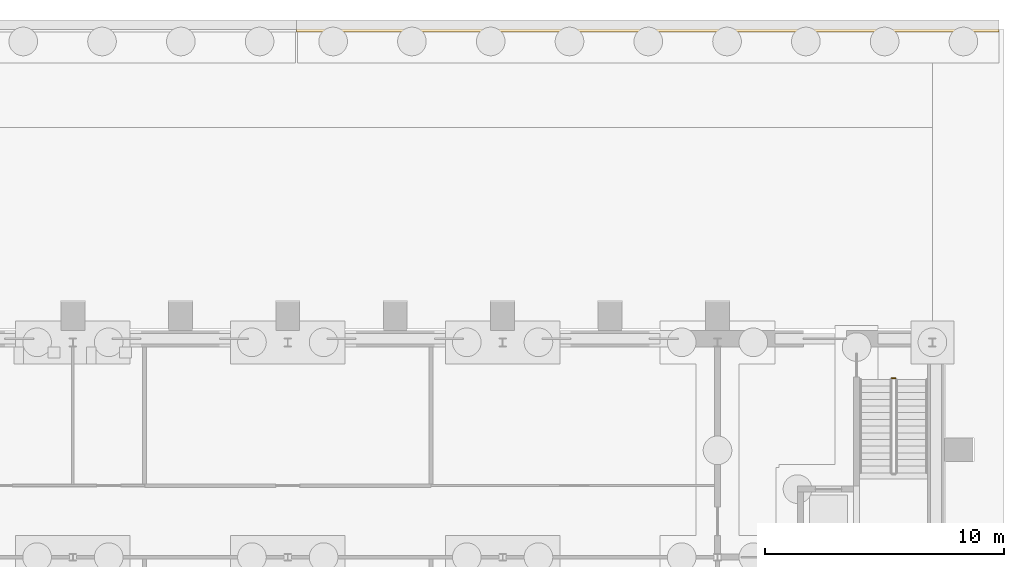
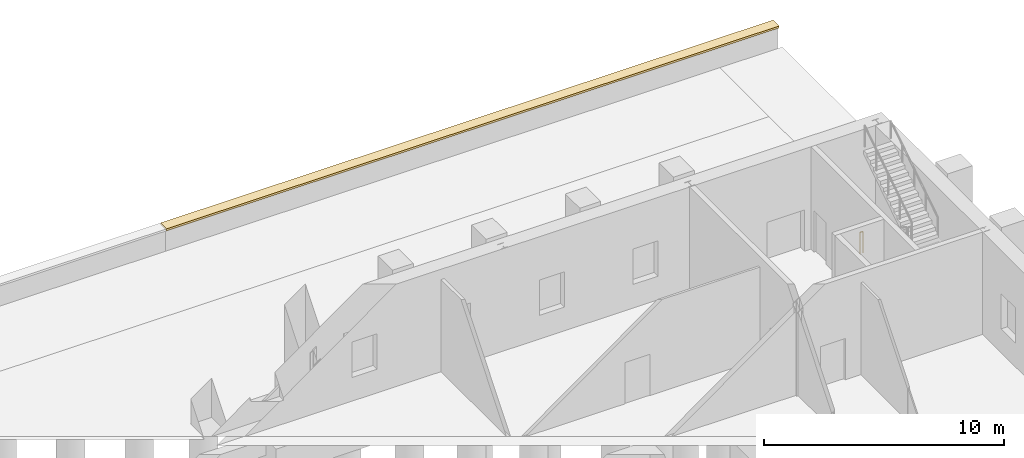
# One storey, part 164 of 168: 1 covering, 1 railing.
"""IFC4 building model written with IfcOpenShell, lengths in metres."""

from ifc_helpers import new_model, si_unit, direction, frame, origin, origin_2d, place, context, subcontext, project, spatial, polyline, circle, outline, extrude, material, layer, layer_set, type_object, element, save


model = new_model("IFC4")

# Units and contexts
model_context = context("Model", 3, precision=1e-05, world=origin(), true_north=direction((0.0, 1.0)))
body_context = subcontext(model_context, "Body", "Model", "MODEL_VIEW")
ifc_project = project(units=[si_unit("LENGTHUNIT", "METRE"), si_unit("AREAUNIT", "SQUARE_METRE"), si_unit("VOLUMEUNIT", "CUBIC_METRE"), si_unit("PLANEANGLEUNIT", "RADIAN"), si_unit("MASSUNIT", "GRAM", prefix="KILO")], contexts=[model_context])

# Site, building, storey
site_placement = place(None, origin())
site = spatial("IfcSite", under=ifc_project, at=site_placement, CompositionType="ELEMENT")
building_placement = place(site_placement, origin())
building = spatial("IfcBuilding", under=site, at=building_placement, Name="Golden Quay Civic Hall", CompositionType="ELEMENT")
storey_placement = place(building_placement, origin())
storey = spatial("IfcBuildingStorey", under=building, at=storey_placement, Name="L00", CompositionType="ELEMENT", Elevation=0.0)

# Covering
ifc_material_1 = material(Name="Granite", Category="masonry")
ifc_layer = layer(ifc_material_1, 0.10009765625)
ifc_layer_set = layer_set([ifc_layer], Name="Granite wall coping 500 x 100")
covering_type = type_object("IfcCoveringType", Name="Granite wall coping 500 x 100", PredefinedType="CLADDING", material=ifc_layer_set)
covering_placement = place(storey_placement, frame((0.0, 0.0, 1.10009765625)))
element("IfcCovering", 1, at=covering_placement, inside=storey, type_object=covering_type, Name="Boundary wall coping run N6", PredefinedType="CLADDING", context=body_context, shape_type="SweptSolid", body=[
    extrude(outline(polyline([(144.360107421875, 112.0), (173.800048828125, 112.0), (173.800048828125, 112.5), (144.360107421875, 112.5), (144.360107421875, 112.0)])), origin(), (0.0, 0.0, 1.0), 0.099853515625),
])

# Railing
ifc_material_2 = material(Name="Steel S355", Category="steel")
railing_type = type_object("IfcRailingType", Name="Steel guard 1100", PredefinedType="GUARDRAIL", material=ifc_material_2)
railing_placement = place(storey_placement, frame((169.300048828125, 97.5, 0.0)))
element("IfcRailing", 2, at=railing_placement, inside=storey, type_object=railing_type, Name="L00 LB-STE stair guard 4", PredefinedType="GUARDRAIL", context=body_context, shape_type="SweptSolid", body=[
    extrude(circle(Radius=0.02392578125, at=origin_2d()), frame((0.0, 0.0, 1.076171875), z_axis=(1.0, 0.0, 0.0), x_axis=(0.0, 1.0, 0.0)), (0.0, 0.0, 1.0), 0.14990234375),
    extrude(circle(Radius=0.02099609375, at=origin_2d()), origin(), (0.0, 0.0, 1.0), 1.052001953125),
    extrude(circle(Radius=0.02099609375, at=origin_2d()), frame((0.14990234375, 0.0, 0.0)), (0.0, 0.0, 1.0), 1.052001953125),
])

save(model, "model.ifc")
